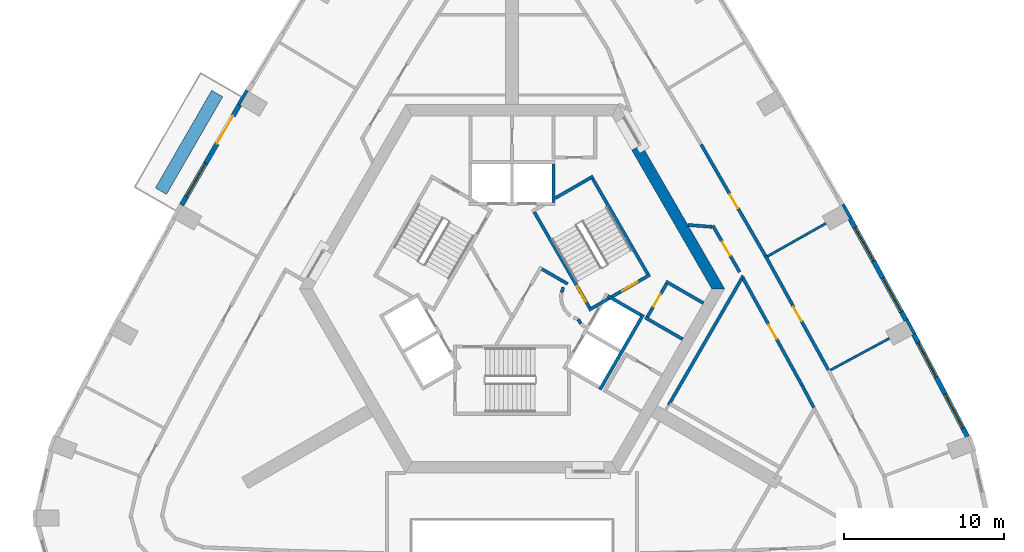
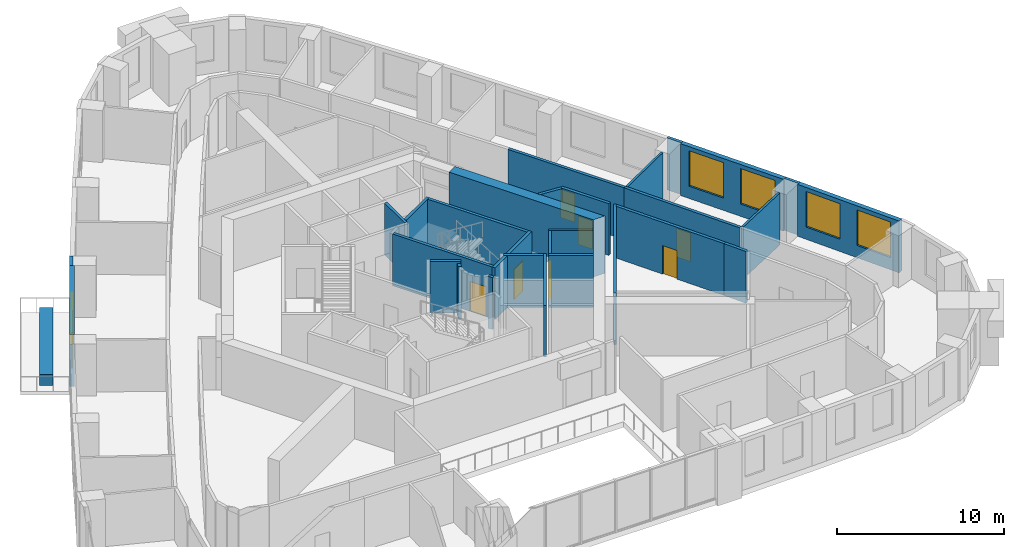
# One storey, part 7 of 13: 30 walls, 8 doors, 5 windows, 13 openings.
"""IFC4 building model written with IfcOpenShell, lengths in metres."""

import ifcopenshell
import ifcopenshell.guid

model = None  # the IFC model being written
_history = None  # IfcOwnerHistory: only IFC2X3 demands one
_inside = {}  # id of a spatial element -> (the spatial element, [elements in it])
_under = {}  # id of a project, library or spatial element -> (it, [spatial elements below it])
_declared = {}  # id of a project -> (the project, [libraries it declares])
_typed = {}  # id of a type object -> (the type object, [elements of that type])
_made_of = {}  # id of a material, layer set ... -> (it, [elements and type objects made of it])


def new_model(schema):
    """Start an empty IFC model of exactly this schema.

    Asked for "IFC4X3", IfcOpenShell would pick the latest addendum, in which some entities
    have other attributes; the version numbers below select the first issue.
    IFC2X3 requires an IfcOwnerHistory on every rooted entity: one is made here for all.
    """
    global model, _history
    if schema == "IFC4X3":
        model = ifcopenshell.file(schema_version=(4, 3, 0, 0))
    else:
        model = ifcopenshell.file(schema=schema)
    _inside.clear()
    _under.clear()
    _declared.clear()
    _typed.clear()
    _made_of.clear()
    _history = None
    if model.schema == "IFC2X3":
        org = make("IfcOrganization", Name="unknown")
        user = make(
            "IfcPersonAndOrganization",
            ThePerson=make("IfcPerson", FamilyName="unknown"),
            TheOrganization=org,
        )
        app = make(
            "IfcApplication",
            ApplicationDeveloper=org,
            Version="unknown",
            ApplicationFullName="unknown",
            ApplicationIdentifier="unknown",
        )
        _history = make(
            "IfcOwnerHistory",
            OwningUser=user,
            OwningApplication=app,
            ChangeAction="ADDED",
            CreationDate=0,
        )
    return model


def make(cls, **values):
    """One entity of the class cls with the attributes given. An attribute that is None is left unset."""
    return model.create_entity(
        cls, **{name: value for name, value in values.items() if value is not None}
    )


def rooted(cls, **values):
    """An entity with a GlobalId (a new one), such as an element, a storey or a relation."""
    return make(cls, GlobalId=ifcopenshell.guid.new(), OwnerHistory=_history, **values)


def si_unit(unit_type, name, prefix=None):
    """IfcSIUnit, for example si_unit("LENGTHUNIT", "METRE", prefix="MILLI")."""
    return make("IfcSIUnit", UnitType=unit_type, Prefix=prefix, Name=name)


def assignment(units):
    """IfcUnitAssignment: the units of a project."""
    return None if units is None else make("IfcUnitAssignment", Units=units)


def point(xyz):
    """IfcCartesianPoint."""
    return None if xyz is None else make("IfcCartesianPoint", Coordinates=xyz)


def direction(xyz):
    """IfcDirection."""
    return None if xyz is None else make("IfcDirection", DirectionRatios=xyz)


def frame(location, z_axis=None, x_axis=None):
    """IfcAxis2Placement3D, a coordinate frame: its origin and axes. An axis left out is left unset."""
    return make(
        "IfcAxis2Placement3D",
        Location=point(location),
        Axis=direction(z_axis),
        RefDirection=direction(x_axis),
    )


def frame_2d(location, x_axis=None):
    """IfcAxis2Placement2D, a coordinate frame in the plane: its origin and x axis."""
    return make(
        "IfcAxis2Placement2D", Location=point(location), RefDirection=direction(x_axis)
    )


def origin():
    """The frame at (0, 0, 0) with its axes left unset."""
    return frame((0.0, 0.0, 0.0))


def place(relative_to, where):
    """IfcLocalPlacement: puts the frame where relative to a parent placement (None: the world)."""
    return make(
        "IfcLocalPlacement", PlacementRelTo=relative_to, RelativePlacement=where
    )


def context(
    kind, dimensions, precision=None, world=None, true_north=None, identifier=None
):
    """IfcGeometricRepresentationContext, for example the 3D "Model" context."""
    return make(
        "IfcGeometricRepresentationContext",
        ContextIdentifier=identifier,
        ContextType=kind,
        CoordinateSpaceDimension=dimensions,
        Precision=precision,
        WorldCoordinateSystem=world,
        TrueNorth=true_north,
    )


def subcontext(parent, identifier, kind, view, scale=None):
    """IfcGeometricRepresentationSubContext, for example "Body" below "Model"."""
    return make(
        "IfcGeometricRepresentationSubContext",
        ContextIdentifier=identifier,
        ContextType=kind,
        ParentContext=parent,
        TargetScale=scale,
        TargetView=view,
    )


def project(units=None, contexts=None):
    """IfcProject with its units and contexts."""
    return rooted(
        "IfcProject",
        Name="project",
        RepresentationContexts=contexts,
        UnitsInContext=assignment(units),
    )


def spatial(cls, under=None, at=None, **own):
    """A site, building, storey or space (cls), placed at a placement, below another one or the project."""
    s = rooted(cls, ObjectPlacement=at, **own)
    if under is not None:
        _under.setdefault(under.id(), (under, []))[1].append(s)
    return s


def polyline(points):
    """IfcPolyline through the points."""
    return make("IfcPolyline", Points=[point(p) for p in points])


def profile(cls, at=None, kind="AREA", **sizes):
    """A parametric profile (cls). Its sizes go by their IFC names, for example OverallWidth=200.0."""
    return make(cls, ProfileType=kind, Position=at, **sizes)


def rectangle(**sizes):
    """IfcRectangleProfileDef."""
    return profile("IfcRectangleProfileDef", **sizes)


def outline(outer, holes=None, kind="AREA"):
    """IfcArbitraryClosedProfileDef: a profile drawn as a closed curve; with holes, ...WithVoids."""
    if holes is None:
        return make("IfcArbitraryClosedProfileDef", ProfileType=kind, OuterCurve=outer)
    return make(
        "IfcArbitraryProfileDefWithVoids",
        ProfileType=kind,
        OuterCurve=outer,
        InnerCurves=holes,
    )


def extrude(swept, where, along, depth):
    """IfcExtrudedAreaSolid: the profile swept, set in the frame where, extruded along a direction by depth."""
    return make(
        "IfcExtrudedAreaSolid",
        SweptArea=swept,
        Position=where,
        ExtrudedDirection=direction(along),
        Depth=depth,
    )


def shape(context_of_items, identifier, shape_type, items):
    """IfcShapeRepresentation: the items that make up one representation, for example the "Body"."""
    return make(
        "IfcShapeRepresentation",
        ContextOfItems=context_of_items,
        RepresentationIdentifier=identifier,
        RepresentationType=shape_type,
        Items=items,
    )


def material(Name=None, Category=None):
    """IfcMaterial."""
    return make("IfcMaterial", Name=Name, Category=Category)


def layer(
    of_material, thickness, ventilated=None, Name=None, Category=None, Priority=None
):
    """IfcMaterialLayer: one layer of a wall or slab, of a material (None: an air gap)."""
    return make(
        "IfcMaterialLayer",
        Material=of_material,
        LayerThickness=thickness,
        IsVentilated=ventilated,
        Name=Name,
        Category=Category,
        Priority=Priority,
    )


def layer_set(layers, Name=None):
    """IfcMaterialLayerSet."""
    return make("IfcMaterialLayerSet", MaterialLayers=layers, LayerSetName=Name)


def made_of(thing, what):
    """Note that an element or type object is made of a material, layer set ...; save() writes the relation."""
    if what is not None:
        _made_of.setdefault(what.id(), (what, []))[1].append(thing)
    return thing


def type_object(cls, material=None, **own):
    """A type object (cls), such as IfcWallType, which elements share."""
    return made_of(rooted(cls, **own), material)


def element(
    cls,
    number,
    at=None,
    inside=None,
    cuts=None,
    type_object=None,
    material=None,
    context=None,
    identifier="Body",
    shape_type=None,
    held_by="IfcProductDefinitionShape",
    body=None,
    shapes=None,
    **own,
):
    """One element of the class cls, such as IfcWall. Its Tag is "e" and its number.

    at: its placement. inside: the storey or other place that contains it. cuts: it is an
    opening in that element (IfcRelVoidsElement). A single representation is given by context,
    identifier, shape_type and body (its items); several are given by shapes. held_by: the class
    of the entity that holds the representations. save() writes the other relations.
    """
    e = rooted(cls, Tag="e%d" % number, ObjectPlacement=at, **own)
    if body is not None:
        shapes = [shape(context, identifier, shape_type, body)]
    if shapes is not None:
        e.Representation = make(held_by, Representations=shapes)
    if inside is not None:
        _inside.setdefault(inside.id(), (inside, []))[1].append(e)
    if cuts is not None:
        rooted(
            "IfcRelVoidsElement", RelatingBuildingElement=cuts, RelatedOpeningElement=e
        )
    if type_object is not None:
        _typed.setdefault(type_object.id(), (type_object, []))[1].append(e)
    return made_of(e, material)


def fill(opening, filler):
    """IfcRelFillsElement: the door or window that sits in an opening."""
    return rooted(
        "IfcRelFillsElement",
        RelatingOpeningElement=opening,
        RelatedBuildingElement=filler,
    )


def aggregate(whole, parts):
    """IfcRelAggregates: a whole, such as a stair, and the parts it consists of."""
    return rooted("IfcRelAggregates", RelatingObject=whole, RelatedObjects=parts)


def save(model, path):
    """Write the relations noted so far, then the file.

    IfcRelAggregates (storeys below a building ...), IfcRelContainedInSpatialStructure (elements
    in a storey), IfcRelDefinesByType, IfcRelAssociatesMaterial and IfcRelDeclares: one each for
    every whole, place, type object, material and project.
    """
    for whole, parts in _under.values():
        aggregate(whole, parts)
    for where, things in _inside.values():
        rooted(
            "IfcRelContainedInSpatialStructure",
            RelatedElements=things,
            RelatingStructure=where,
        )
    for kind, things in _typed.values():
        rooted("IfcRelDefinesByType", RelatedObjects=things, RelatingType=kind)
    for what, things in _made_of.values():
        rooted("IfcRelAssociatesMaterial", RelatedObjects=things, RelatingMaterial=what)
    for by, libraries in _declared.values():
        rooted("IfcRelDeclares", RelatingContext=by, RelatedDefinitions=libraries)
    model.write(path)


model = new_model("IFC4")

# Units and contexts
model_context = context("Model", 3, precision=1e-05, world=origin(), true_north=direction((0.0, 1.0)))
body_context = subcontext(model_context, "Body", "Model", "MODEL_VIEW")
ifc_project = project(units=[si_unit("LENGTHUNIT", "METRE"), si_unit("AREAUNIT", "SQUARE_METRE"), si_unit("VOLUMEUNIT", "CUBIC_METRE"), si_unit("PLANEANGLEUNIT", "RADIAN"), si_unit("MASSUNIT", "GRAM", prefix="KILO")], contexts=[model_context])

# Site, building, storey
site_placement = place(None, origin())
site = spatial("IfcSite", under=ifc_project, at=site_placement, CompositionType="ELEMENT")
building_placement = place(site_placement, origin())
building = spatial("IfcBuilding", under=site, at=building_placement, Name="Entoto Arch Interchange Tower", CompositionType="ELEMENT")
storey_placement = place(building_placement, frame((0.0, 0.0, 198.199951171875)))
storey = spatial("IfcBuildingStorey", under=building, at=storey_placement, Name="L44", CompositionType="ELEMENT", Elevation=198.199951171875)

# Walls
ifc_material_1 = material(Name="Concrete C50/60", Category="concrete")
ifc_layer_1 = layer(ifc_material_1, 0.699951171875)
ifc_layer_set_1 = layer_set([ifc_layer_1], Name="Concrete C50/60")
wall_type_1 = type_object("IfcWallType", Name="Core wall 700 C50/60", PredefinedType="SHEAR", material=ifc_layer_set_1)
wall_1_placement = place(storey_placement, frame((0.0, 0.0, -0.39990234375)))
element("IfcWall", 1, at=wall_1_placement, inside=storey, type_object=wall_type_1, Name="Core wall NE L44", PredefinedType="SHEAR", context=body_context, shape_type="SweptSolid", body=[
    extrude(outline(polyline([(8.083984375, 11.498046875), (7.47802734375, 11.14794921875), (12.470947265625, 2.5), (13.279052734375, 2.5), (8.083984375, 11.498046875)])), origin(), (0.0, 0.0, 1.0), 4.199951171875),
])
ifc_material_2 = material(Name="Concrete C40/50", Category="concrete")
ifc_layer_2 = layer(ifc_material_2, 0.199951171875)
ifc_layer_set_2 = layer_set([ifc_layer_2], Name="Concrete C40/50")
wall_type_2 = type_object("IfcWallType", Name="LIFT SHAFT WALL 200", PredefinedType="STANDARD", material=ifc_layer_set_2)
wall_2_placement = place(storey_placement, frame((2.60009765625, 7.89990234375, 0.0), z_axis=(0.0, 0.0, 1.0), x_axis=(0.0, 1.0, 0.0)))
element("IfcWall", 2, at=wall_2_placement, inside=storey, type_object=wall_type_2, Name="Shaft wall N1 cross 1", PredefinedType="STANDARD", context=body_context, shape_type="SweptSolid", body=[
    extrude(rectangle(XDim=2.400146484375, YDim=0.199951171875, at=frame_2d((1.2001953125, 0.0))), origin(), (0.0, 0.0, 1.0), 3.800048828125),
])
wall_3_placement = place(storey_placement, frame((5.491943359375, -3.7880859375, 0.0), z_axis=(0.0, 0.0, 1.0), x_axis=(0.500034260056, 0.866005622828, 0.0)))
element("IfcWall", 3, at=wall_3_placement, inside=storey, type_object=wall_type_2, Name="Shaft wall SE1 back", PredefinedType="STANDARD", context=body_context, shape_type="SweptSolid", body=[
    extrude(rectangle(XDim=5.3994140625, YDim=0.199951171875, at=frame_2d((2.69970703125, 0.0))), origin(), (0.0, 0.0, 1.0), 3.800048828125),
])
wall_4_placement = place(storey_placement, frame((5.97705078125, 2.052001953125, 0.0), z_axis=(0.0, 0.0, 1.0), x_axis=(0.865973769406, -0.500089422704, 0.0)))
element("IfcWall", 4, at=wall_4_placement, inside=storey, type_object=wall_type_2, Name="Shaft wall SE1 cross 3", PredefinedType="STANDARD", context=body_context, shape_type="SweptSolid", body=[
    extrude(rectangle(XDim=2.3994140625, YDim=0.199951171875, at=frame_2d((1.19970703125, 0.0))), origin(), (0.0, 0.0, 1.0), 3.800048828125),
])
ifc_material_3 = material(Name="Gypsum board partition on steel studs", Category="steel")
ifc_layer_3 = layer(ifc_material_3, 0.14990234375)
ifc_layer_set_3 = layer_set([ifc_layer_3], Name="Gypsum board partition on steel studs")
wall_type_3 = type_object("IfcWallType", Name="PARTITION 150", PredefinedType="PARTITIONING", material=ifc_layer_set_3)
wall_5_placement = place(storey_placement, frame((19.873046875, -2.58203125, 0.0), z_axis=(0.0, 0.0, 1.0), x_axis=(0.880480475723, 0.474082410421, 0.0)))
element("IfcWall", 5, at=wall_5_placement, inside=storey, type_object=wall_type_3, Name="wall:L44:p111", PredefinedType="PARTITIONING", context=body_context, shape_type="SweptSolid", body=[
    extrude(rectangle(XDim=4.1806640625, YDim=0.14990234375, at=frame_2d((2.09033203125, 0.0))), origin(), (0.0, 0.0, 1.0), 3.800048828125),
])
wall_6_placement = place(storey_placement, frame((15.9541015625, 4.52587890625, 0.0), z_axis=(0.0, 0.0, 1.0), x_axis=(0.870940016277, 0.491389344663, 0.0)))
element("IfcWall", 6, at=wall_6_placement, inside=storey, type_object=wall_type_3, Name="wall:L44:p112", PredefinedType="PARTITIONING", context=body_context, shape_type="SweptSolid", body=[
    extrude(rectangle(XDim=4.180419921875, YDim=0.14990234375, at=frame_2d((2.09033203125, 0.0))), origin(), (0.0, 0.0, 1.0), 3.800048828125),
])

# Wall, opening, door
ifc_layer_4 = layer(ifc_material_3, 0.199951171875)
ifc_layer_set_4 = layer_set([ifc_layer_4], Name="Gypsum board partition on steel studs")
wall_type_4 = type_object("IfcWallType", Name="PARTITION 200", PredefinedType="PARTITIONING", material=ifc_layer_set_4)
wall_7_placement = place(storey_placement, frame((14.212890625, 3.54296875, 0.0), z_axis=(0.0, 0.0, 1.0), x_axis=(-0.500182898346, 0.865919781621, 0.0)))
wall_7 = element("IfcWall", 7, at=wall_7_placement, inside=storey, type_object=wall_type_4, Name="wall:L44:p005", PredefinedType="PARTITIONING", context=body_context, shape_type="SweptSolid", body=[
    extrude(rectangle(XDim=3.350341796875, YDim=0.199951171875, at=frame_2d((1.67529296875, 0.0))), origin(), (0.0, 0.0, 1.0), 3.800048828125),
])
opening_1_placement = place(wall_7_placement, frame((1.175048828125, 0.0, 0.0)))
opening_1 = element("IfcOpeningElement", 8, at=opening_1_placement, cuts=wall_7, Name="Opening L44-D27", PredefinedType="OPENING", context=body_context, shape_type="SweptSolid", body=[
    extrude(rectangle(XDim=1.0, YDim=2.10009765625, at=frame_2d((0.5, 1.050048828125))), frame((0.0, 0.10986328125, 0.0), z_axis=(0.0, -1.0, 0.0), x_axis=(1.0, 0.0, 0.0)), (0.0, 0.0, 1.0), 0.219970703125),
])
ifc_material_4 = material(Name="Timber door leaf in Steel S235 frame", Category="steel")
door_type_1 = type_object("IfcDoorType", Name="DOOR DS-10 1000x2100", OperationType="SINGLE_SWING_LEFT", PredefinedType="DOOR", material=ifc_material_4)
door_1_placement = place(opening_1_placement, origin())
door_1 = element("IfcDoor", 9, at=door_1_placement, inside=storey, type_object=door_type_1, Name="door:L44:27", OperationType="SINGLE_SWING_LEFT", OverallHeight=2.10009765625, OverallWidth=1.0, PredefinedType="DOOR", context=body_context, shape_type="SweptSolid", body=[
    extrude(rectangle(XDim=1.0, YDim=2.10009765625, at=frame_2d((0.5, 1.050048828125))), frame((0.0, 0.02490234375, 0.0), z_axis=(0.0, -1.0, 0.0), x_axis=(1.0, 0.0, 0.0)), (0.0, 0.0, 1.0), 0.050048828125),
])
fill(opening_1, door_1)

# Walls
wall_8_placement = place(storey_placement, frame((12.488037109375, 6.365966796875, 0.0), z_axis=(0.0, 0.0, 1.0), x_axis=(-0.996960771308, 0.077905201835, 0.0)))
element("IfcWall", 10, at=wall_8_placement, inside=storey, type_object=wall_type_4, Name="wall:L44:p006", PredefinedType="PARTITIONING", context=body_context, shape_type="SweptSolid", body=[
    extrude(rectangle(XDim=1.513671875, YDim=0.199951171875, at=frame_2d((0.7568359375, 0.0))), origin(), (0.0, 0.0, 1.0), 3.800048828125),
])
wall_9_placement = place(storey_placement, frame((18.8359375, -4.906005859375, 0.0), z_axis=(0.0, 0.0, 1.0), x_axis=(-0.465843561357, 0.884867095299, 0.0)))
element("IfcWall", 11, at=wall_9_placement, inside=storey, type_object=wall_type_4, Name="wall:L44:p018", PredefinedType="PARTITIONING", context=body_context, shape_type="SweptSolid", body=[
    extrude(rectangle(XDim=1.553955078125, YDim=0.199951171875, at=frame_2d((0.77685546875, 0.0))), origin(), (0.0, 0.0, 1.0), 3.800048828125),
])

# Wall, opening, door
wall_10_placement = place(storey_placement, frame((18.112060546875, -3.531005859375, 0.0), z_axis=(0.0, 0.0, 1.0), x_axis=(-0.482800061144, 0.875730609811, 0.0)))
wall_10 = element("IfcWall", 12, at=wall_10_placement, inside=storey, type_object=wall_type_4, Name="wall:L44:p019", PredefinedType="PARTITIONING", context=body_context, shape_type="SweptSolid", body=[
    extrude(rectangle(XDim=7.612060546875, YDim=0.199951171875, at=frame_2d((3.80615234375, 0.0))), origin(), (0.0, 0.0, 1.0), 3.800048828125),
])
opening_2_placement = place(wall_10_placement, frame((3.305908203125, 0.0, 0.0)))
opening_2 = element("IfcOpeningElement", 13, at=opening_2_placement, cuts=wall_10, Name="Opening L44-D18", PredefinedType="OPENING", context=body_context, shape_type="SweptSolid", body=[
    extrude(rectangle(XDim=1.0, YDim=2.10009765625, at=frame_2d((0.5, 1.050048828125))), frame((0.0, 0.10986328125, 0.0), z_axis=(0.0, -1.0, 0.0), x_axis=(1.0, 0.0, 0.0)), (0.0, 0.0, 1.0), 0.219970703125),
])
door_2_placement = place(opening_2_placement, origin())
door_2 = element("IfcDoor", 14, at=door_2_placement, inside=storey, type_object=door_type_1, Name="door:L44:18", OperationType="SINGLE_SWING_LEFT", OverallHeight=2.10009765625, OverallWidth=1.0, PredefinedType="DOOR", context=body_context, shape_type="SweptSolid", body=[
    extrude(rectangle(XDim=1.0, YDim=2.10009765625, at=frame_2d((0.5, 1.050048828125))), frame((0.0, 0.02490234375, 0.0), z_axis=(0.0, -1.0, 0.0), x_axis=(1.0, 0.0, 0.0)), (0.0, 0.0, 1.0), 0.050048828125),
])
fill(opening_2, door_2)

wall_11_placement = place(storey_placement, frame((15.8310546875, 4.5419921875, 0.0), z_axis=(0.0, 0.0, 1.0), x_axis=(0.482835531749, -0.875711053533, 0.0)))
wall_11 = element("IfcWall", 15, at=wall_11_placement, inside=storey, type_object=wall_type_4, Name="wall:L44:p042", PredefinedType="PARTITIONING", context=body_context, shape_type="SweptSolid", body=[
    extrude(rectangle(XDim=8.114501953125, YDim=0.199951171875, at=frame_2d((4.05712890625, 0.0))), origin(), (0.0, 0.0, 1.0), 3.800048828125),
])
opening_3_placement = place(wall_11_placement, frame((3.632080078125, 0.0, 0.0)))
opening_3 = element("IfcOpeningElement", 16, at=opening_3_placement, cuts=wall_11, Name="Opening L44-D05", PredefinedType="OPENING", context=body_context, shape_type="SweptSolid", body=[
    extrude(rectangle(XDim=1.0, YDim=2.10009765625, at=frame_2d((0.5, 1.050048828125))), frame((0.0, 0.10986328125, 0.0), z_axis=(0.0, -1.0, 0.0), x_axis=(1.0, 0.0, 0.0)), (0.0, 0.0, 1.0), 0.219970703125),
])
door_3_placement = place(opening_3_placement, origin())
door_3 = element("IfcDoor", 17, at=door_3_placement, inside=storey, type_object=door_type_1, Name="door:L44:05", OperationType="SINGLE_SWING_RIGHT", OverallHeight=2.10009765625, OverallWidth=1.0, PredefinedType="DOOR", context=body_context, shape_type="SweptSolid", body=[
    extrude(rectangle(XDim=1.0, YDim=2.10009765625, at=frame_2d((0.5, 1.050048828125))), frame((0.0, 0.02490234375, 0.0), z_axis=(0.0, -1.0, 0.0), x_axis=(1.0, 0.0, 0.0)), (0.0, 0.0, 1.0), 0.050048828125),
])
fill(opening_3, door_3)

wall_12_placement = place(storey_placement, frame((11.81103515625, 11.5029296875, 0.0), z_axis=(0.0, 0.0, 1.0), x_axis=(0.500013420409, -0.866017655369, 0.0)))
wall_12 = element("IfcWall", 18, at=wall_12_placement, inside=storey, type_object=wall_type_4, Name="wall:L44:p044", PredefinedType="PARTITIONING", context=body_context, shape_type="SweptSolid", body=[
    extrude(rectangle(XDim=8.037841796875, YDim=0.199951171875, at=frame_2d((4.01904296875, 0.0))), origin(), (0.0, 0.0, 1.0), 3.800048828125),
])
opening_4_placement = place(wall_12_placement, frame((3.593994140625, 0.0, 0.0)))
opening_4 = element("IfcOpeningElement", 19, at=opening_4_placement, cuts=wall_12, Name="Opening L44-D06", PredefinedType="OPENING", context=body_context, shape_type="SweptSolid", body=[
    extrude(rectangle(XDim=1.0, YDim=2.10009765625, at=frame_2d((0.5, 1.050048828125))), frame((0.0, 0.10986328125, 0.0), z_axis=(0.0, -1.0, 0.0), x_axis=(1.0, 0.0, 0.0)), (0.0, 0.0, 1.0), 0.219970703125),
])
door_4_placement = place(opening_4_placement, origin())
door_4 = element("IfcDoor", 20, at=door_4_placement, inside=storey, type_object=door_type_1, Name="door:L44:06", OperationType="SINGLE_SWING_LEFT", OverallHeight=2.10009765625, OverallWidth=1.0, PredefinedType="DOOR", context=body_context, shape_type="SweptSolid", body=[
    extrude(rectangle(XDim=1.0, YDim=2.10009765625, at=frame_2d((0.5, 1.050048828125))), frame((0.0, 0.02490234375, 0.0), z_axis=(0.0, -1.0, 0.0), x_axis=(1.0, 0.0, 0.0)), (0.0, 0.0, 1.0), 0.050048828125),
])
fill(opening_4, door_4)

# Wall
wall_13_placement = place(storey_placement, frame((10.653076171875, -0.64794921875, 0.0), z_axis=(0.0, 0.0, 1.0), x_axis=(-0.866036505625, 0.499980770555, 0.0)))
element("IfcWall", 21, at=wall_13_placement, inside=storey, type_object=wall_type_4, Name="wall:L44:p074", PredefinedType="PARTITIONING", context=body_context, shape_type="SweptSolid", body=[
    extrude(rectangle(XDim=2.69970703125, YDim=0.199951171875, at=frame_2d((1.349853515625, 0.0))), origin(), (0.0, 0.0, 1.0), 3.800048828125),
])

# Wall, opening, door
wall_14_placement = place(storey_placement, frame((8.450927734375, 0.738037109375, 0.0), z_axis=(0.0, 0.0, 1.0), x_axis=(0.499913221443, 0.866075499611, 0.0)))
wall_14 = element("IfcWall", 22, at=wall_14_placement, inside=storey, type_object=wall_type_4, Name="wall:L44:p075", PredefinedType="PARTITIONING", context=body_context, shape_type="SweptSolid", body=[
    extrude(rectangle(XDim=2.400390625, YDim=0.199951171875, at=frame_2d((1.2001953125, 0.0))), origin(), (0.0, 0.0, 1.0), 3.800048828125),
])
opening_5_placement = place(wall_14_placement, frame((0.75, 0.0, 0.0)))
opening_5 = element("IfcOpeningElement", 23, at=opening_5_placement, cuts=wall_14, Name="Opening L44-D33", PredefinedType="OPENING", context=body_context, shape_type="SweptSolid", body=[
    extrude(rectangle(XDim=0.89990234375, YDim=2.10009765625, at=frame_2d((0.449951171875, 1.050048828125))), frame((0.0, 0.10986328125, 0.0), z_axis=(0.0, -1.0, 0.0), x_axis=(1.0, 0.0, 0.0)), (0.0, 0.0, 1.0), 0.219970703125),
])
door_type_2 = type_object("IfcDoorType", Name="DOOR DS-09 900x2100", OperationType="SINGLE_SWING_LEFT", PredefinedType="DOOR", material=ifc_material_4)
door_5_placement = place(opening_5_placement, origin())
door_5 = element("IfcDoor", 24, at=door_5_placement, inside=storey, type_object=door_type_2, Name="door:L44:33", OperationType="SINGLE_SWING_LEFT", OverallHeight=2.10009765625, OverallWidth=0.89990234375, PredefinedType="DOOR", context=body_context, shape_type="SweptSolid", body=[
    extrude(rectangle(XDim=0.89990234375, YDim=2.10009765625, at=frame_2d((0.449951171875, 1.050048828125))), frame((0.0, 0.02490234375, 0.0), z_axis=(0.0, -1.0, 0.0), x_axis=(1.0, 0.0, 0.0)), (0.0, 0.0, 1.0), 0.050048828125),
])
fill(opening_5, door_5)

# Walls
wall_15_placement = place(storey_placement, frame((9.614990234375, 2.952880859375, 0.0), z_axis=(0.0, 0.0, 1.0), x_axis=(0.866013897511, -0.50001992892, 0.0)))
element("IfcWall", 25, at=wall_15_placement, inside=storey, type_object=wall_type_4, Name="wall:L44:p076", PredefinedType="PARTITIONING", context=body_context, shape_type="SweptSolid", body=[
    extrude(rectangle(XDim=2.69970703125, YDim=0.199951171875, at=frame_2d((1.349853515625, 0.0))), origin(), (0.0, 0.0, 1.0), 3.800048828125),
])
wall_16_placement = place(storey_placement, frame((9.781005859375, -4.758056640625, 0.0), z_axis=(0.0, 0.0, 1.0), x_axis=(0.50003174578, 0.866007074574, 0.0)))
element("IfcWall", 26, at=wall_16_placement, inside=storey, type_object=wall_type_4, Name="wall:L44:p081", PredefinedType="PARTITIONING", context=body_context, shape_type="SweptSolid", body=[
    extrude(rectangle(XDim=9.3154296875, YDim=0.199951171875, at=frame_2d((4.65771484375, 0.0))), origin(), (0.0, 0.0, 1.0), 3.800048828125),
])
wall_17_placement = place(storey_placement, frame((1.865966796875, 3.73193359375, 0.0), z_axis=(0.0, 0.0, 1.0), x_axis=(0.866043361281, -0.499968895414, 0.0)))
element("IfcWall", 27, at=wall_17_placement, inside=storey, type_object=wall_type_4, Name="wall:L44:p084", PredefinedType="PARTITIONING", context=body_context, shape_type="SweptSolid", body=[
    extrude(rectangle(XDim=1.85791015625, YDim=0.199951171875, at=frame_2d((0.928955078125, 0.0))), origin(), (0.0, 0.0, 1.0), 3.800048828125),
])
wall_18_placement = place(storey_placement, frame((3.2080078125, 2.592041015625, 0.0), z_axis=(0.0, 0.0, 1.0), x_axis=(-0.337388820924, -0.941365382578, 0.0)))
element("IfcWall", 28, at=wall_18_placement, inside=storey, type_object=wall_type_4, Name="wall:L44:p085", PredefinedType="PARTITIONING", context=body_context, shape_type="SweptSolid", body=[
    extrude(rectangle(XDim=0.337890625, YDim=0.199951171875, at=frame_2d((0.1689453125, 0.0))), origin(), (0.0, 0.0, 1.0), 3.800048828125),
])
wall_19_placement = place(storey_placement, frame((4.132080078125, 0.593017578125, 0.0), z_axis=(0.0, 0.0, 1.0), x_axis=(0.513561617048, -0.858052717201, 0.0)))
element("IfcWall", 29, at=wall_19_placement, inside=storey, type_object=wall_type_4, Name="wall:L44:p091", PredefinedType="PARTITIONING", context=body_context, shape_type="SweptSolid", body=[
    extrude(rectangle(XDim=0.3076171875, YDim=0.199951171875, at=frame_2d((0.15380859375, 0.0))), origin(), (0.0, 0.0, 1.0), 3.800048828125),
])
ifc_material_5 = material(Name="Board-marked precast concrete C50/60", Category="concrete")
ifc_layer_5 = layer(ifc_material_5, 0.800048828125)
ifc_layer_set_5 = layer_set([ifc_layer_5], Name="Board-marked precast concrete C50/60")
wall_type_5 = type_object("IfcWallType", Name="PLANTER RC 800 Olea europaea subsp. cuspidata", PredefinedType="STANDARD", material=ifc_layer_set_5)
wall_20_placement = place(storey_placement, frame((-18.403076171875, 14.68408203125, 0.0), z_axis=(0.0, 0.0, 1.0), x_axis=(-0.499990006866, -0.866031173246, 0.0)))
element("IfcWall", 30, at=wall_20_placement, inside=storey, type_object=wall_type_5, Name="Planter NW-03 L44", PredefinedType="STANDARD", context=body_context, shape_type="SweptSolid", body=[
    extrude(rectangle(XDim=7.030029296875, YDim=0.800048828125, at=frame_2d((3.51513671875, 0.0))), origin(), (0.0, 0.0, 1.0), 0.800048828125),
])

# Wall, opening, door
ifc_layer_6 = layer(ifc_material_2, 0.199951171875)
ifc_layer_set_6 = layer_set([ifc_layer_6], Name="Concrete C40/50")
wall_type_6 = type_object("IfcWallType", Name="STAIR ENCLOSURE WALL 200", PredefinedType="STANDARD", material=ifc_layer_set_6)
wall_21_placement = place(storey_placement, frame((4.805908203125, 1.176025390625, 0.0), z_axis=(0.0, 0.0, 1.0), x_axis=(0.866059941101, 0.499940174841, 0.0)))
wall_21 = element("IfcWall", 31, at=wall_21_placement, inside=storey, type_object=wall_type_6, Name="Stair wall ST-NE near", PredefinedType="STANDARD", context=body_context, shape_type="SweptSolid", body=[
    extrude(rectangle(XDim=4.400390625, YDim=0.199951171875, at=frame_2d((2.2001953125, 0.0))), origin(), (0.0, 0.0, 1.0), 3.800048828125),
])
opening_6_placement = place(wall_21_placement, frame((2.39990234375, 0.0, 0.0)))
opening_6 = element("IfcOpeningElement", 32, at=opening_6_placement, cuts=wall_21, Name="Opening SD-ST-NE-L44-E", PredefinedType="OPENING", context=body_context, shape_type="SweptSolid", body=[
    extrude(rectangle(XDim=1.10009765625, YDim=2.199951171875, at=frame_2d((0.550048828125, 1.10009765625))), frame((0.0, 0.10986328125, 0.0), z_axis=(0.0, -1.0, 0.0), x_axis=(1.0, 0.0, 0.0)), (0.0, 0.0, 1.0), 0.219970703125),
])
ifc_material_6 = material(Name="Steel S235", Category="steel")
door_type_3 = type_object("IfcDoorType", Name="STAIR DOOR SD1 1100x2200", OperationType="SINGLE_SWING_LEFT", PredefinedType="DOOR", material=ifc_material_6)
door_6_placement = place(opening_6_placement, origin())
door_6 = element("IfcDoor", 33, at=door_6_placement, inside=storey, type_object=door_type_3, Name="Stair door ST-NE L44 end", OperationType="SINGLE_SWING_LEFT", OverallHeight=2.199951171875, OverallWidth=1.10009765625, PredefinedType="DOOR", context=body_context, shape_type="SweptSolid", body=[
    extrude(rectangle(XDim=1.10009765625, YDim=2.199951171875, at=frame_2d((0.550048828125, 1.10009765625))), frame((0.0, 0.02490234375, 0.0), z_axis=(0.0, -1.0, 0.0), x_axis=(1.0, 0.0, 0.0)), (0.0, 0.0, 1.0), 0.050048828125),
])
fill(opening_6, door_6)

# Wall
wall_22_placement = place(storey_placement, frame((2.699951171875, 8.157958984375, 0.0), z_axis=(0.0, 0.0, 1.0), x_axis=(0.86611865017, 0.499838457731, 0.0)))
element("IfcWall", 34, at=wall_22_placement, inside=storey, type_object=wall_type_6, Name="Stair wall ST-NE far", PredefinedType="STANDARD", context=body_context, shape_type="SweptSolid", body=[
    extrude(rectangle(XDim=2.73291015625, YDim=0.199951171875, at=frame_2d((1.366455078125, 0.0))), origin(), (0.0, 0.0, 1.0), 3.800048828125),
])

# Wall, opening, door
wall_23_placement = place(storey_placement, frame((4.843017578125, 1.31201171875, 0.0), z_axis=(0.0, 0.0, 1.0), x_axis=(-0.499963383562, 0.866046543262, 0.0)))
wall_23 = element("IfcWall", 35, at=wall_23_placement, inside=storey, type_object=wall_type_6, Name="Stair wall ST-NE hall", PredefinedType="STANDARD", context=body_context, shape_type="SweptSolid", body=[
    extrude(rectangle(XDim=6.900390625, YDim=0.199951171875, at=frame_2d((3.4501953125, 0.0))), origin(), (0.0, 0.0, 1.0), 3.800048828125),
])
opening_7_placement = place(wall_23_placement, frame((0.449951171875, 0.0, 0.0)))
opening_7 = element("IfcOpeningElement", 36, at=opening_7_placement, cuts=wall_23, Name="Opening SD-ST-NE-L44", PredefinedType="OPENING", context=body_context, shape_type="SweptSolid", body=[
    extrude(rectangle(XDim=1.10009765625, YDim=2.199951171875, at=frame_2d((0.550048828125, 1.10009765625))), frame((0.0, 0.10986328125, 0.0), z_axis=(0.0, -1.0, 0.0), x_axis=(1.0, 0.0, 0.0)), (0.0, 0.0, 1.0), 0.219970703125),
])
door_7_placement = place(opening_7_placement, origin())
door_7 = element("IfcDoor", 37, at=door_7_placement, inside=storey, type_object=door_type_3, Name="Stair door ST-NE L44", OperationType="SINGLE_SWING_LEFT", OverallHeight=2.199951171875, OverallWidth=1.10009765625, PredefinedType="DOOR", context=body_context, shape_type="SweptSolid", body=[
    extrude(rectangle(XDim=1.10009765625, YDim=2.199951171875, at=frame_2d((0.550048828125, 1.10009765625))), frame((0.0, 0.02490234375, 0.0), z_axis=(0.0, -1.0, 0.0), x_axis=(1.0, 0.0, 0.0)), (0.0, 0.0, 1.0), 0.050048828125),
])
fill(opening_7, door_7)

# Wall
wall_24_placement = place(storey_placement, frame((8.47998046875, 3.412109375, 0.0), z_axis=(0.0, 0.0, 1.0), x_axis=(-0.499978703459, 0.866037698999, 0.0)))
element("IfcWall", 38, at=wall_24_placement, inside=storey, type_object=wall_type_6, Name="Stair wall ST-NE back", PredefinedType="STANDARD", context=body_context, shape_type="SweptSolid", body=[
    extrude(rectangle(XDim=6.900146484375, YDim=0.199951171875, at=frame_2d((3.4501953125, 0.0))), origin(), (0.0, 0.0, 1.0), 3.800048828125),
])

# Wall, openings, windows
ifc_material_7 = material(Name="Welded tuff (ignimbrite) cladding, warm buff", Category="masonry")
ifc_layer_7 = layer(ifc_material_7, 0.300048828125)
ifc_layer_set_7 = layer_set([ifc_layer_7], Name="Welded tuff (ignimbrite) cladding, warm buff")
wall_type_7 = type_object("IfcWallType", Name="STONE INFILL WALL 300", PredefinedType="STANDARD", material=ifc_layer_set_7)
wall_25_placement = place(storey_placement, frame((28.43505859375, -6.72412109375, 0.0), z_axis=(0.0, 0.0, 1.0), x_axis=(-0.465478369088, 0.885059256723, 0.0)))
wall_25 = element("IfcWall", 39, at=wall_25_placement, inside=storey, type_object=wall_type_7, Name="Facade wall NE-01 L44", PredefinedType="STANDARD", context=body_context, shape_type="SweptSolid", body=[
    extrude(rectangle(XDim=7.20751953125, YDim=0.300048828125, at=frame_2d((3.603759765625, 0.0))), origin(), (0.0, 0.0, 1.0), 3.800048828125),
])
opening_8_placement = place(wall_25_placement, frame((0.60205078125, 0.0, 0.89990234375)))
opening_8 = element("IfcOpeningElement", 40, at=opening_8_placement, cuts=wall_25, Name="Opening WO-A", PredefinedType="OPENING", context=body_context, shape_type="SweptSolid", body=[
    extrude(rectangle(XDim=2.39990234375, YDim=2.60009765625, at=frame_2d((1.199951171875, 1.300048828125))), frame((0.0, 0.16015625, 0.0), z_axis=(0.0, -1.0, 0.0), x_axis=(1.0, 0.0, 0.0)), (0.0, 0.0, 1.0), 0.320068359375),
])
opening_9_placement = place(wall_25_placement, frame((4.2060546875, 0.0, 0.89990234375)))
opening_9 = element("IfcOpeningElement", 41, at=opening_9_placement, cuts=wall_25, Name="Opening WO-A", PredefinedType="OPENING", context=body_context, shape_type="SweptSolid", body=[
    extrude(rectangle(XDim=2.39990234375, YDim=2.60009765625, at=frame_2d((1.199951171875, 1.300048828125))), frame((0.0, 0.16015625, 0.0), z_axis=(0.0, -1.0, 0.0), x_axis=(1.0, 0.0, 0.0)), (0.0, 0.0, 1.0), 0.320068359375),
])
ifc_material_8 = material(Name="Clear glass, low-e double glazed", Category="glass")
window_type = type_object("IfcWindowType", Name="WINDOW WO-A 2400x2600", PartitioningType="DOUBLE_PANEL_VERTICAL", PredefinedType="WINDOW", material=ifc_material_8)
window_1_placement = place(opening_8_placement, origin())
window_1 = element("IfcWindow", 42, at=window_1_placement, inside=storey, type_object=window_type, Name="Window WO-A NE-01 L44", OverallHeight=2.60009765625, OverallWidth=2.39990234375, PartitioningType="SINGLE_PANEL", PredefinedType="WINDOW", context=body_context, shape_type="SweptSolid", body=[
    extrude(rectangle(XDim=2.39990234375, YDim=2.60009765625, at=frame_2d((1.199951171875, 1.300048828125))), frame((0.0, 0.030029296875, 0.0), z_axis=(0.0, -1.0, 0.0), x_axis=(1.0, 0.0, 0.0)), (0.0, 0.0, 1.0), 0.06005859375),
])
fill(opening_8, window_1)
window_2_placement = place(opening_9_placement, origin())
window_2 = element("IfcWindow", 43, at=window_2_placement, inside=storey, type_object=window_type, Name="Window WO-A NE-01 L44", OverallHeight=2.60009765625, OverallWidth=2.39990234375, PartitioningType="SINGLE_PANEL", PredefinedType="WINDOW", context=body_context, shape_type="SweptSolid", body=[
    extrude(rectangle(XDim=2.39990234375, YDim=2.60009765625, at=frame_2d((1.199951171875, 1.300048828125))), frame((0.0, 0.030029296875, 0.0), z_axis=(0.0, -1.0, 0.0), x_axis=(1.0, 0.0, 0.0)), (0.0, 0.0, 1.0), 0.06005859375),
])
fill(opening_9, window_2)

wall_26_placement = place(storey_placement, frame((24.60693359375, 0.533935546875, 0.0), z_axis=(0.0, 0.0, 1.0), x_axis=(-0.482862185961, 0.875696356832, 0.0)))
wall_26 = element("IfcWall", 44, at=wall_26_placement, inside=storey, type_object=wall_type_7, Name="Facade wall NE-02 L44", PredefinedType="STANDARD", context=body_context, shape_type="SweptSolid", body=[
    extrude(rectangle(XDim=7.229736328125, YDim=0.300048828125, at=frame_2d((3.61474609375, 0.0))), origin(), (0.0, 0.0, 1.0), 3.800048828125),
])
opening_10_placement = place(wall_26_placement, frame((0.60693359375, 0.0, 0.89990234375)))
opening_10 = element("IfcOpeningElement", 45, at=opening_10_placement, cuts=wall_26, Name="Opening WO-A", PredefinedType="OPENING", context=body_context, shape_type="SweptSolid", body=[
    extrude(rectangle(XDim=2.39990234375, YDim=2.60009765625, at=frame_2d((1.199951171875, 1.300048828125))), frame((0.0, 0.16015625, 0.0), z_axis=(0.0, -1.0, 0.0), x_axis=(1.0, 0.0, 0.0)), (0.0, 0.0, 1.0), 0.320068359375),
])
opening_11_placement = place(wall_26_placement, frame((4.221923828125, 0.0, 0.89990234375)))
opening_11 = element("IfcOpeningElement", 46, at=opening_11_placement, cuts=wall_26, Name="Opening WO-A", PredefinedType="OPENING", context=body_context, shape_type="SweptSolid", body=[
    extrude(rectangle(XDim=2.39990234375, YDim=2.60009765625, at=frame_2d((1.199951171875, 1.300048828125))), frame((0.0, 0.16015625, 0.0), z_axis=(0.0, -1.0, 0.0), x_axis=(1.0, 0.0, 0.0)), (0.0, 0.0, 1.0), 0.320068359375),
])
window_3_placement = place(opening_10_placement, origin())
window_3 = element("IfcWindow", 47, at=window_3_placement, inside=storey, type_object=window_type, Name="Window WO-A NE-02 L44", OverallHeight=2.60009765625, OverallWidth=2.39990234375, PartitioningType="SINGLE_PANEL", PredefinedType="WINDOW", context=body_context, shape_type="SweptSolid", body=[
    extrude(rectangle(XDim=2.39990234375, YDim=2.60009765625, at=frame_2d((1.199951171875, 1.300048828125))), frame((0.0, 0.030029296875, 0.0), z_axis=(0.0, -1.0, 0.0), x_axis=(1.0, 0.0, 0.0)), (0.0, 0.0, 1.0), 0.06005859375),
])
fill(opening_10, window_3)
window_4_placement = place(opening_11_placement, origin())
window_4 = element("IfcWindow", 48, at=window_4_placement, inside=storey, type_object=window_type, Name="Window WO-A NE-02 L44", OverallHeight=2.60009765625, OverallWidth=2.39990234375, PartitioningType="SINGLE_PANEL", PredefinedType="WINDOW", context=body_context, shape_type="SweptSolid", body=[
    extrude(rectangle(XDim=2.39990234375, YDim=2.60009765625, at=frame_2d((1.199951171875, 1.300048828125))), frame((0.0, 0.030029296875, 0.0), z_axis=(0.0, -1.0, 0.0), x_axis=(1.0, 0.0, 0.0)), (0.0, 0.0, 1.0), 0.06005859375),
])
fill(opening_11, window_4)

# Wall, openings, door, window
wall_27_placement = place(storey_placement, frame((-17.010986328125, 13.99609375, 0.0), z_axis=(0.0, 0.0, 1.0), x_axis=(-0.499948481376, -0.866055146033, 0.0)))
wall_27 = element("IfcWall", 49, at=wall_27_placement, inside=storey, type_object=wall_type_7, Name="Facade wall NW-03 L44", PredefinedType="STANDARD", context=body_context, shape_type="SweptSolid", body=[
    extrude(rectangle(XDim=7.230712890625, YDim=0.300048828125, at=frame_2d((3.615234375, 0.0))), origin(), (0.0, 0.0, 1.0), 3.800048828125),
])
opening_12_placement = place(wall_27_placement, frame((0.80810546875, 0.0, 0.0)))
opening_12 = element("IfcOpeningElement", 50, at=opening_12_placement, cuts=wall_27, Name="Opening DB-NW-03-L44", PredefinedType="OPENING", context=body_context, shape_type="SweptSolid", body=[
    extrude(rectangle(XDim=2.0, YDim=2.39990234375, at=frame_2d((1.0, 1.199951171875))), frame((0.0, 0.16015625, 0.0), z_axis=(0.0, -1.0, 0.0), x_axis=(1.0, 0.0, 0.0)), (0.0, 0.0, 1.0), 0.320068359375),
])
opening_13_placement = place(wall_27_placement, frame((4.222900390625, 0.0, 0.89990234375)))
opening_13 = element("IfcOpeningElement", 51, at=opening_13_placement, cuts=wall_27, Name="Opening WO-A", PredefinedType="OPENING", context=body_context, shape_type="SweptSolid", body=[
    extrude(rectangle(XDim=2.39990234375, YDim=2.60009765625, at=frame_2d((1.199951171875, 1.300048828125))), frame((0.0, 0.16015625, 0.0), z_axis=(0.0, -1.0, 0.0), x_axis=(1.0, 0.0, 0.0)), (0.0, 0.0, 1.0), 0.320068359375),
])
ifc_material_9 = material(Name="Aluminium and clear glass, anodised", Category="aluminium")
door_type_4 = type_object("IfcDoorType", Name="BALCONY DOOR DB 2000x2400", OperationType="SLIDING_TO_LEFT", PredefinedType="DOOR", material=ifc_material_9)
door_8_placement = place(opening_12_placement, origin())
door_8 = element("IfcDoor", 52, at=door_8_placement, inside=storey, type_object=door_type_4, Name="Balcony door NW-03 L44", OperationType="SLIDING_TO_LEFT", OverallHeight=2.39990234375, OverallWidth=2.0, PredefinedType="DOOR", context=body_context, shape_type="SweptSolid", body=[
    extrude(rectangle(XDim=2.0, YDim=2.39990234375, at=frame_2d((1.0, 1.199951171875))), frame((0.0, 0.02490234375, 0.0), z_axis=(0.0, -1.0, 0.0), x_axis=(1.0, 0.0, 0.0)), (0.0, 0.0, 1.0), 0.050048828125),
])
fill(opening_12, door_8)
window_5_placement = place(opening_13_placement, origin())
window_5 = element("IfcWindow", 53, at=window_5_placement, inside=storey, type_object=window_type, Name="Window WO-A NW-03 L44", OverallHeight=2.60009765625, OverallWidth=2.39990234375, PartitioningType="SINGLE_PANEL", PredefinedType="WINDOW", context=body_context, shape_type="SweptSolid", body=[
    extrude(rectangle(XDim=2.39990234375, YDim=2.60009765625, at=frame_2d((1.199951171875, 1.300048828125))), frame((0.0, 0.030029296875, 0.0), z_axis=(0.0, -1.0, 0.0), x_axis=(1.0, 0.0, 0.0)), (0.0, 0.0, 1.0), 0.06005859375),
])
fill(opening_13, window_5)

# Walls
ifc_layer_8 = layer(ifc_material_7, 0.199951171875)
ifc_layer_set_8 = layer_set([ifc_layer_8], Name="Welded tuff (ignimbrite) cladding, warm buff")
wall_type_8 = type_object("IfcWallType", Name="STONE PIER CLADDING 200", PredefinedType="STANDARD", material=ifc_layer_set_8)
wall_28_placement = place(storey_placement, frame((25.12890625, -0.320068359375, 0.0), z_axis=(0.0, 0.0, 1.0), x_axis=(-0.473663196434, 0.88070606694, 0.0)))
element("IfcWall", 54, at=wall_28_placement, inside=storey, type_object=wall_type_8, Name="Stone pier NE02 L44", PredefinedType="STANDARD", context=body_context, shape_type="SweptSolid", body=[
    extrude(rectangle(XDim=1.00048828125, YDim=0.199951171875, at=frame_2d((0.500244140625, 0.0))), origin(), (0.0, 0.0, 1.0), 3.800048828125),
])
wall_29_placement = place(storey_placement, frame((21.1650390625, 6.89111328125, 0.0), z_axis=(0.0, 0.0, 1.0), x_axis=(-0.491848119507, 0.870681013539, 0.0)))
element("IfcWall", 55, at=wall_29_placement, inside=storey, type_object=wall_type_8, Name="Stone pier NE03 L44", PredefinedType="STANDARD", context=body_context, shape_type="SweptSolid", body=[
    extrude(rectangle(XDim=1.000244140625, YDim=0.199951171875, at=frame_2d((0.5, 0.0))), origin(), (0.0, 0.0, 1.0), 3.800048828125),
])
wall_30_placement = place(storey_placement, frame((-16.551025390625, 14.884033203125, 0.0), z_axis=(0.0, 0.0, 1.0), x_axis=(-0.508161541526, -0.861261776531, 0.0)))
element("IfcWall", 56, at=wall_30_placement, inside=storey, type_object=wall_type_8, Name="Stone pier NW03 L44", PredefinedType="STANDARD", context=body_context, shape_type="SweptSolid", body=[
    extrude(rectangle(XDim=0.999755859375, YDim=0.199951171875, at=frame_2d((0.5, 0.0))), origin(), (0.0, 0.0, 1.0), 3.800048828125),
])

save(model, "model.ifc")
